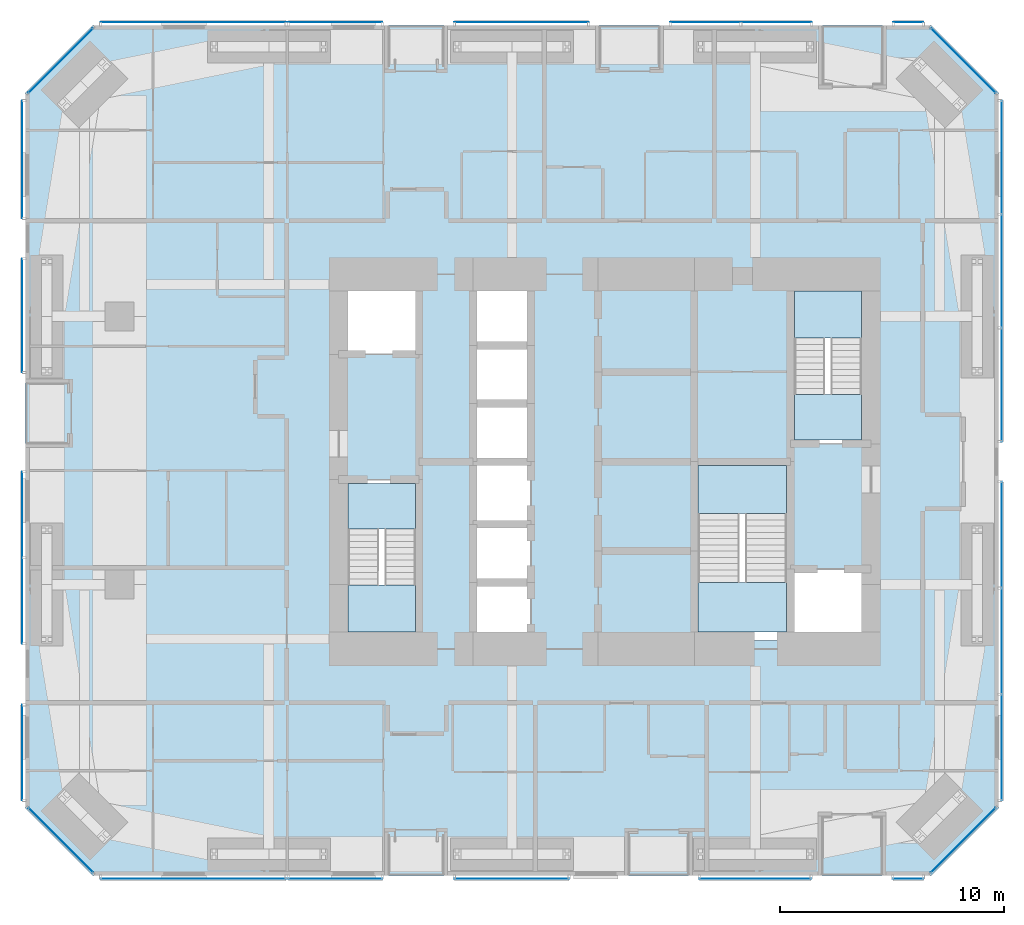
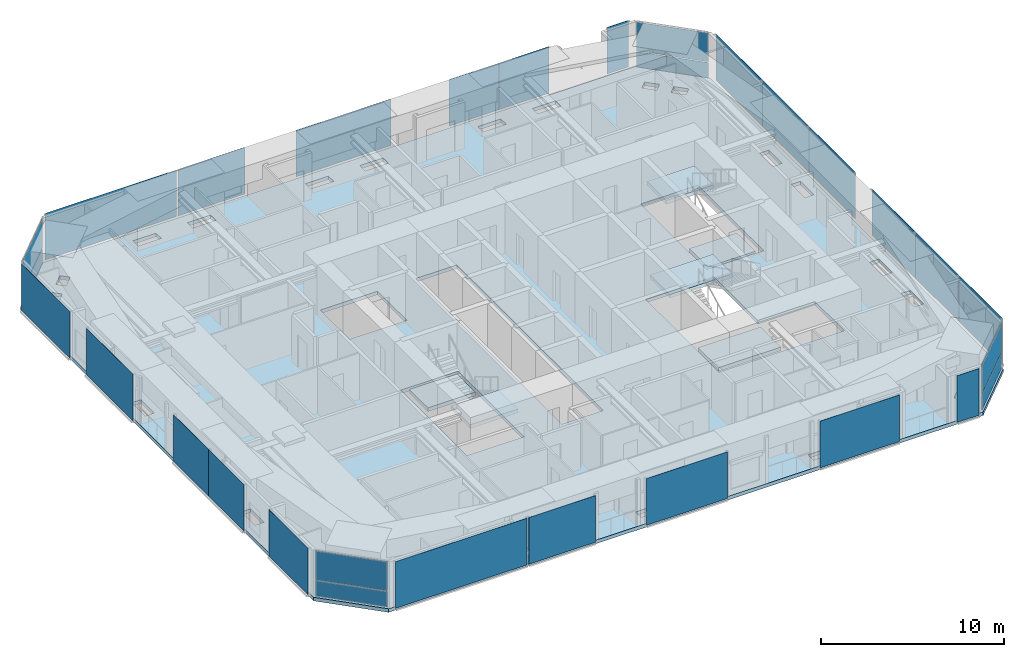
# One storey, part 16 of 25: 30 plates, 7 slabs, 23 elements without a shape of their own.
"""IFC4 building model written with IfcOpenShell, lengths in metres."""

from ifc_helpers import new_model, si_unit, direction, frame, origin, origin_2d, place, context, subcontext, project, spatial, polyline, rectangle, outline, extrude, material, layer, layer_set, type_object, element, aggregate, save


model = new_model("IFC4")

# Units and contexts
model_context = context("Model", 3, precision=1e-05, world=origin(), true_north=direction((0.0, 1.0)))
body_context = subcontext(model_context, "Body", "Model", "MODEL_VIEW")
ifc_project = project(units=[si_unit("LENGTHUNIT", "METRE"), si_unit("AREAUNIT", "SQUARE_METRE"), si_unit("VOLUMEUNIT", "CUBIC_METRE"), si_unit("PLANEANGLEUNIT", "RADIAN"), si_unit("MASSUNIT", "GRAM", prefix="KILO")], contexts=[model_context])

# Site, building, storey
site_placement = place(None, origin())
site = spatial("IfcSite", under=ifc_project, at=site_placement, CompositionType="ELEMENT")
building_placement = place(site_placement, origin())
building = spatial("IfcBuilding", under=site, at=building_placement, Name="Jalousie Tower", CompositionType="ELEMENT")
storey_placement = place(building_placement, frame((0.0, 0.0, 98.14990234375)))
storey = spatial("IfcBuildingStorey", under=building, at=storey_placement, Name="L26", CompositionType="ELEMENT", Elevation=98.14990234375)

# Curtain wall, plates
ifc_material_1 = material(Name="Aluminium curtain wall", Category="aluminium")
curtain_wall_type_1 = type_object("IfcCurtainWallType", Name="CORNER WINDOW WALL", PredefinedType="USERDEFINED", material=ifc_material_1)
curtain_wall_1_placement = place(storey_placement, origin())
curtain_wall_1 = element("IfcCurtainWall", 1, at=curtain_wall_1_placement, inside=storey, type_object=curtain_wall_type_1, Name="Corner Window Wall L26 2", ObjectType="CORNER WINDOW WALL", PredefinedType="USERDEFINED")
ifc_material_2 = material(Name="Laminated impact-rated spandrel glass", Category="glass")
ifc_layer_1 = layer(ifc_material_2, 0.028076171875)
ifc_layer_set_1 = layer_set([ifc_layer_1], Name="Laminated impact-rated spandrel glass")
plate_type_1 = type_object("IfcPlateType", Name="CORNER WINDOW WALL PANEL", PredefinedType="CURTAIN_PANEL", material=ifc_layer_set_1)
plate_1_placement = place(storey_placement, frame((47.9306640625, 1.5693359375, 0.06005859375), z_axis=(0.0, 0.0, 1.0), x_axis=(0.707106781187, 0.707106781187, 0.0)))
plate_1 = element("IfcPlate", 2, at=plate_1_placement, type_object=plate_type_1, Name="CW-C panel 1.1", PredefinedType="CURTAIN_PANEL", context=body_context, shape_type="SweptSolid", body=[
    extrude(rectangle(XDim=4.071533203125, YDim=0.028076171875, at=origin_2d()), origin(), (0.0, 0.0, 1.0), 1.010009765625),
])
plate_2_placement = place(storey_placement, frame((47.9306640625, 1.5693359375, 1.130126953125), z_axis=(0.0, 0.0, 1.0), x_axis=(0.707106781187, 0.707106781187, 0.0)))
plate_2 = element("IfcPlate", 3, at=plate_2_placement, type_object=plate_type_1, Name="CW-C panel 1.2", PredefinedType="CURTAIN_PANEL", context=body_context, shape_type="SweptSolid", body=[
    extrude(rectangle(XDim=4.071533203125, YDim=0.028076171875, at=origin_2d()), origin(), (0.0, 0.0, 1.0), 1.919921875),
])
aggregate(curtain_wall_1, [plate_1, plate_2])

curtain_wall_2_placement = place(storey_placement, origin())
curtain_wall_2 = element("IfcCurtainWall", 4, at=curtain_wall_2_placement, inside=storey, type_object=curtain_wall_type_1, Name="Corner Window Wall L26 4", ObjectType="CORNER WINDOW WALL", PredefinedType="USERDEFINED")
plate_3_placement = place(storey_placement, frame((47.9306640625, 36.4306640625, 0.06005859375), z_axis=(0.0, 0.0, 1.0), x_axis=(-0.707106781187, 0.707106781187, 0.0)))
plate_3 = element("IfcPlate", 5, at=plate_3_placement, type_object=plate_type_1, Name="CW-C panel 1.1", PredefinedType="CURTAIN_PANEL", context=body_context, shape_type="SweptSolid", body=[
    extrude(rectangle(XDim=4.071533203125, YDim=0.028076171875, at=origin_2d()), origin(), (0.0, 0.0, 1.0), 1.010009765625),
])
plate_4_placement = place(storey_placement, frame((47.9306640625, 36.4306640625, 1.130126953125), z_axis=(0.0, 0.0, 1.0), x_axis=(-0.707106781187, 0.707106781187, 0.0)))
plate_4 = element("IfcPlate", 6, at=plate_4_placement, type_object=plate_type_1, Name="CW-C panel 1.2", PredefinedType="CURTAIN_PANEL", context=body_context, shape_type="SweptSolid", body=[
    extrude(rectangle(XDim=4.071533203125, YDim=0.028076171875, at=origin_2d()), origin(), (0.0, 0.0, 1.0), 1.919921875),
])
aggregate(curtain_wall_2, [plate_3, plate_4])

curtain_wall_3_placement = place(storey_placement, origin())
curtain_wall_3 = element("IfcCurtainWall", 7, at=curtain_wall_3_placement, inside=storey, type_object=curtain_wall_type_1, Name="Corner Window Wall L26 6", ObjectType="CORNER WINDOW WALL", PredefinedType="USERDEFINED")
plate_5_placement = place(storey_placement, frame((7.5693359375, 36.4306640625, 0.06005859375), z_axis=(0.0, 0.0, 1.0), x_axis=(-0.707106781187, -0.707106781187, 0.0)))
plate_5 = element("IfcPlate", 8, at=plate_5_placement, type_object=plate_type_1, Name="CW-C panel 1.1", PredefinedType="CURTAIN_PANEL", context=body_context, shape_type="SweptSolid", body=[
    extrude(rectangle(XDim=4.071533203125, YDim=0.028076171875, at=origin_2d()), origin(), (0.0, 0.0, 1.0), 1.010009765625),
])
plate_6_placement = place(storey_placement, frame((7.5693359375, 36.4306640625, 1.130126953125), z_axis=(0.0, 0.0, 1.0), x_axis=(-0.707106781187, -0.707106781187, 0.0)))
plate_6 = element("IfcPlate", 9, at=plate_6_placement, type_object=plate_type_1, Name="CW-C panel 1.2", PredefinedType="CURTAIN_PANEL", context=body_context, shape_type="SweptSolid", body=[
    extrude(rectangle(XDim=4.071533203125, YDim=0.028076171875, at=origin_2d()), origin(), (0.0, 0.0, 1.0), 1.919921875),
])
aggregate(curtain_wall_3, [plate_5, plate_6])

curtain_wall_4_placement = place(storey_placement, origin())
curtain_wall_4 = element("IfcCurtainWall", 10, at=curtain_wall_4_placement, inside=storey, type_object=curtain_wall_type_1, Name="Corner Window Wall L26 8", ObjectType="CORNER WINDOW WALL", PredefinedType="USERDEFINED")
plate_7_placement = place(storey_placement, frame((7.5693359375, 1.5693359375, 0.06005859375), z_axis=(0.0, 0.0, 1.0), x_axis=(0.707106781187, -0.707106781187, 0.0)))
plate_7 = element("IfcPlate", 11, at=plate_7_placement, type_object=plate_type_1, Name="CW-C panel 1.1", PredefinedType="CURTAIN_PANEL", context=body_context, shape_type="SweptSolid", body=[
    extrude(rectangle(XDim=4.071533203125, YDim=0.028076171875, at=origin_2d()), origin(), (0.0, 0.0, 1.0), 1.010009765625),
])
plate_8_placement = place(storey_placement, frame((7.5693359375, 1.5693359375, 1.130126953125), z_axis=(0.0, 0.0, 1.0), x_axis=(0.707106781187, -0.707106781187, 0.0)))
plate_8 = element("IfcPlate", 12, at=plate_8_placement, type_object=plate_type_1, Name="CW-C panel 1.2", PredefinedType="CURTAIN_PANEL", context=body_context, shape_type="SweptSolid", body=[
    extrude(rectangle(XDim=4.071533203125, YDim=0.028076171875, at=origin_2d()), origin(), (0.0, 0.0, 1.0), 1.919921875),
])
aggregate(curtain_wall_4, [plate_7, plate_8])

# Slab
ifc_material_3 = material(Name="Concrete f'c 40 MPa", Category="concrete")
ifc_layer_2 = layer(ifc_material_3, 0.239990234375)
ifc_layer_set_2 = layer_set([ifc_layer_2], Name="Concrete f'c 40 MPa")
slab_type_1 = type_object("IfcSlabType", Name="FLOOR SLAB 240", PredefinedType="FLOOR", material=ifc_layer_set_2)
slab_1_placement = place(storey_placement, frame((0.0, 0.0, -0.239990234375)))
element("IfcSlab", 13, at=slab_1_placement, inside=storey, type_object=slab_type_1, Name="L26 floor slab", PredefinedType="FLOOR", context=body_context, shape_type="SweptSolid", body=[
    extrude(outline(polyline([(9.0, 0.0), (46.5, 0.0), (49.5, 3.0), (49.5, 35.0), (46.5, 38.0), (9.0, 38.0), (6.0, 35.0), (6.0, 3.0), (9.0, 0.0)]), holes=[polyline([(14.425048828125, 1.236083984375), (14.484619140625, 1.236083984375), (15.888916015625, 1.236083984375), (15.888916015625, 0.663818359375), (14.484619140625, 0.663818359375), (14.425048828125, 0.663818359375), (14.425048828125, 1.236083984375)]), polyline([(26.763916015625, 1.236083984375), (26.763916015625, 0.663818359375), (25.359619140625, 0.663818359375), (25.300048828125, 0.663818359375), (25.300048828125, 1.236083984375), (25.359619140625, 1.236083984375), (26.763916015625, 1.236083984375)]), polyline([(17.861083984375, 1.236083984375), (19.265380859375, 1.236083984375), (19.324951171875, 1.236083984375), (19.324951171875, 0.663818359375), (19.265380859375, 0.663818359375), (17.861083984375, 0.663818359375), (17.861083984375, 1.236083984375)]), polyline([(8.71435546875, 2.1435546875), (9.119140625, 2.54833984375), (9.625732421875, 2.041748046875), (9.717529296875, 1.949951171875), (9.515380859375, 1.74755859375), (9.31298828125, 1.545166015625), (9.220947265625, 1.636962890625), (8.71435546875, 2.1435546875)]), polyline([(8.54833984375, 3.119140625), (8.1435546875, 2.71435546875), (7.545166015625, 3.31298828125), (7.74755859375, 3.515380859375), (7.949951171875, 3.717529296875), (8.54833984375, 3.119140625)]), polyline([(7.236083984375, 10.550048828125), (6.663818359375, 10.550048828125), (6.663818359375, 10.609619140625), (6.663818359375, 12.013916015625), (7.236083984375, 12.013916015625), (7.236083984375, 10.609619140625), (7.236083984375, 10.550048828125)]), polyline([(26.0, 10.5), (26.0, 26.5), (28.60009765625, 26.5), (28.60009765625, 10.5), (26.0, 10.5)]), polyline([(20.0, 10.5), (23.60009765625, 10.5), (23.60009765625, 17.699951171875), (20.0, 17.699951171875), (20.0, 10.5)]), polyline([(7.236083984375, 15.390380859375), (7.236083984375, 13.986083984375), (6.663818359375, 13.986083984375), (6.663818359375, 15.390380859375), (6.663818359375, 15.449951171875), (7.236083984375, 15.449951171875), (7.236083984375, 15.390380859375)]), polyline([(6.663818359375, 24.013916015625), (7.236083984375, 24.013916015625), (7.236083984375, 22.609619140625), (7.236083984375, 22.550048828125), (6.663818359375, 22.550048828125), (6.663818359375, 22.609619140625), (6.663818359375, 24.013916015625)]), polyline([(20.0, 23.300048828125), (23.60009765625, 23.300048828125), (23.60009765625, 26.5), (20.0, 26.5), (20.0, 23.300048828125)]), polyline([(7.236083984375, 25.986083984375), (6.663818359375, 25.986083984375), (6.663818359375, 27.390380859375), (6.663818359375, 27.449951171875), (7.236083984375, 27.449951171875), (7.236083984375, 27.390380859375), (7.236083984375, 25.986083984375)]), polyline([(7.636962890625, 34.779052734375), (8.1435546875, 35.28564453125), (8.54833984375, 34.880859375), (8.041748046875, 34.374267578125), (7.949951171875, 34.282470703125), (7.545166015625, 34.68701171875), (7.636962890625, 34.779052734375)]), polyline([(9.717529296875, 36.050048828125), (9.625732421875, 35.958251953125), (9.119140625, 35.45166015625), (8.71435546875, 35.8564453125), (9.220947265625, 36.363037109375), (9.31298828125, 36.454833984375), (9.515380859375, 36.25244140625), (9.717529296875, 36.050048828125)]), polyline([(26.763916015625, 36.763916015625), (25.359619140625, 36.763916015625), (25.300048828125, 36.763916015625), (25.300048828125, 37.336181640625), (25.359619140625, 37.336181640625), (26.763916015625, 37.336181640625), (26.763916015625, 36.763916015625)]), polyline([(19.324951171875, 37.336181640625), (19.324951171875, 36.763916015625), (19.265380859375, 36.763916015625), (17.861083984375, 36.763916015625), (17.861083984375, 37.336181640625), (19.265380859375, 37.336181640625), (19.324951171875, 37.336181640625)]), polyline([(14.425048828125, 36.763916015625), (14.425048828125, 37.336181640625), (14.484619140625, 37.336181640625), (15.888916015625, 37.336181640625), (15.888916015625, 36.763916015625), (14.484619140625, 36.763916015625), (14.425048828125, 36.763916015625)]), polyline([(28.736083984375, 0.663818359375), (28.736083984375, 1.236083984375), (30.140380859375, 1.236083984375), (30.199951171875, 1.236083984375), (30.199951171875, 0.663818359375), (30.140380859375, 0.663818359375), (28.736083984375, 0.663818359375)]), polyline([(36.234619140625, 0.663818359375), (36.175048828125, 0.663818359375), (36.175048828125, 1.236083984375), (36.234619140625, 1.236083984375), (37.638916015625, 1.236083984375), (37.638916015625, 0.663818359375), (36.234619140625, 0.663818359375)]), polyline([(41.015380859375, 1.236083984375), (41.074951171875, 1.236083984375), (41.074951171875, 0.663818359375), (41.015380859375, 0.663818359375), (39.611083984375, 0.663818359375), (39.611083984375, 1.236083984375), (41.015380859375, 1.236083984375)]), polyline([(46.279052734375, 1.636962890625), (46.18701171875, 1.545166015625), (45.984619140625, 1.74755859375), (45.782470703125, 1.949951171875), (45.782470703125, 1.949951171875), (45.782470703125, 1.949951171875), (45.874267578125, 2.041748046875), (46.380859375, 2.54833984375), (46.78564453125, 2.1435546875), (46.279052734375, 1.636962890625), (46.279052734375, 1.636962890625)]), polyline([(47.458251953125, 3.625732421875), (47.458251953125, 3.625732421875), (47.550048828125, 3.717529296875), (47.75244140625, 3.515380859375), (47.954833984375, 3.31298828125), (47.954833984375, 3.31298828125), (47.954833984375, 3.31298828125), (47.863037109375, 3.220947265625), (47.3564453125, 2.71435546875), (46.95166015625, 3.119140625), (47.458251953125, 3.625732421875)]), polyline([(48.836181640625, 10.550048828125), (48.263916015625, 10.550048828125), (48.263916015625, 10.609619140625), (48.263916015625, 12.013916015625), (48.836181640625, 12.013916015625), (48.836181640625, 10.609619140625), (48.836181640625, 10.550048828125)]), polyline([(35.89990234375, 18.5), (40.199951171875, 18.5), (40.199951171875, 13.699951171875), (43.800048828125, 13.699951171875), (43.800048828125, 10.5), (35.89990234375, 10.5), (35.89990234375, 18.5)]), polyline([(48.836181640625, 13.986083984375), (48.263916015625, 13.986083984375), (48.263916015625, 15.390380859375), (48.263916015625, 15.449951171875), (48.836181640625, 15.449951171875), (48.836181640625, 15.390380859375), (48.836181640625, 13.986083984375)]), polyline([(40.199951171875, 19.300048828125), (43.800048828125, 19.300048828125), (43.800048828125, 26.5), (40.199951171875, 26.5), (40.199951171875, 19.300048828125)]), polyline([(48.836181640625, 22.550048828125), (48.263916015625, 22.550048828125), (48.263916015625, 22.609619140625), (48.263916015625, 24.013916015625), (48.836181640625, 24.013916015625), (48.836181640625, 22.609619140625), (48.836181640625, 22.550048828125)]), polyline([(48.836181640625, 27.390380859375), (48.836181640625, 25.986083984375), (48.263916015625, 25.986083984375), (48.263916015625, 27.390380859375), (48.263916015625, 27.449951171875), (48.836181640625, 27.449951171875), (48.836181640625, 27.390380859375)]), polyline([(47.3564453125, 35.28564453125), (47.954833984375, 34.68701171875), (47.550048828125, 34.282470703125), (47.458251953125, 34.374267578125), (46.95166015625, 34.880859375), (47.3564453125, 35.28564453125)]), polyline([(46.380859375, 35.45166015625), (45.874267578125, 35.958251953125), (45.782470703125, 36.050048828125), (46.18701171875, 36.454833984375), (46.78564453125, 35.8564453125), (46.380859375, 35.45166015625)]), polyline([(41.015380859375, 37.336181640625), (41.074951171875, 37.336181640625), (41.074951171875, 36.763916015625), (41.015380859375, 36.763916015625), (39.611083984375, 36.763916015625), (39.611083984375, 37.336181640625), (41.015380859375, 37.336181640625)]), polyline([(37.638916015625, 37.336181640625), (37.638916015625, 36.763916015625), (36.234619140625, 36.763916015625), (36.175048828125, 36.763916015625), (36.175048828125, 37.336181640625), (36.234619140625, 37.336181640625), (37.638916015625, 37.336181640625)]), polyline([(28.736083984375, 37.336181640625), (30.140380859375, 37.336181640625), (30.199951171875, 37.336181640625), (30.199951171875, 36.763916015625), (30.140380859375, 36.763916015625), (28.736083984375, 36.763916015625), (28.736083984375, 37.336181640625)])]), origin(), (0.0, 0.0, 1.0), 0.239990234375),
])

# Curtain wall, plate
ifc_material_4 = material(Name="Perforated aluminium sheet", Category="aluminium")
curtain_wall_type_2 = type_object("IfcCurtainWallType", Name="SOLAR SCREEN SS-1", PredefinedType="USERDEFINED", material=ifc_material_4)
curtain_wall_5_placement = place(storey_placement, origin())
curtain_wall_5 = element("IfcCurtainWall", 14, at=curtain_wall_5_placement, inside=storey, type_object=curtain_wall_type_2, Name="Solar screen L26", ObjectType="SOLAR SCREEN SS-1", PredefinedType="USERDEFINED")
ifc_material_5 = material(Name="Perforated aluminium sheet", Category="aluminium")
ifc_layer_3 = layer(ifc_material_5, 0.006103515625)
ifc_layer_set_3 = layer_set([ifc_layer_3], Name="Perforated aluminium sheet")
plate_type_2 = type_object("IfcPlateType", Name="SOLAR SCREEN SS-1 PANEL", PredefinedType="CURTAIN_PANEL", material=ifc_layer_set_3)
plate_9_placement = place(storey_placement, frame((13.500732421875, -0.150390625, 0.0), z_axis=(0.0, 0.0, 1.0), x_axis=(1.0, 0.0, 0.0)))
plate_9 = element("IfcPlate", 15, at=plate_9_placement, type_object=plate_type_2, Name="SS1 perforated panel 1", PredefinedType="CURTAIN_PANEL", context=body_context, shape_type="SweptSolid", body=[
    extrude(rectangle(XDim=8.298583984375, YDim=0.006103515625, at=origin_2d()), origin(), (0.0, 0.0, 1.0), 3.110107421875),
])
aggregate(curtain_wall_5, [plate_9])

curtain_wall_6_placement = place(storey_placement, origin())
curtain_wall_6 = element("IfcCurtainWall", 16, at=curtain_wall_6_placement, inside=storey, type_object=curtain_wall_type_2, Name="Solar screen L26", ObjectType="SOLAR SCREEN SS-1", PredefinedType="USERDEFINED")
plate_10_placement = place(storey_placement, frame((19.85009765625, -0.150390625, 0.0), z_axis=(0.0, 0.0, 1.0), x_axis=(1.0, 0.0, 0.0)))
plate_10 = element("IfcPlate", 17, at=plate_10_placement, type_object=plate_type_2, Name="SS1 perforated panel 1", PredefinedType="CURTAIN_PANEL", context=body_context, shape_type="SweptSolid", body=[
    extrude(rectangle(XDim=4.199951171875, YDim=0.006103515625, at=origin_2d()), origin(), (0.0, 0.0, 1.0), 3.110107421875),
])
aggregate(curtain_wall_6, [plate_10])

curtain_wall_7_placement = place(storey_placement, origin())
curtain_wall_7 = element("IfcCurtainWall", 18, at=curtain_wall_7_placement, inside=storey, type_object=curtain_wall_type_2, Name="Solar screen L26", ObjectType="SOLAR SCREEN SS-1", PredefinedType="USERDEFINED")
plate_11_placement = place(storey_placement, frame((27.737548828125, -0.150390625, 0.0), z_axis=(0.0, 0.0, 1.0), x_axis=(1.0, 0.0, 0.0)))
plate_11 = element("IfcPlate", 19, at=plate_11_placement, type_object=plate_type_2, Name="SS1 perforated panel 1", PredefinedType="CURTAIN_PANEL", context=body_context, shape_type="SweptSolid", body=[
    extrude(rectangle(XDim=5.125, YDim=0.006103515625, at=origin_2d()), origin(), (0.0, 0.0, 1.0), 3.110107421875),
])
aggregate(curtain_wall_7, [plate_11])

curtain_wall_8_placement = place(storey_placement, origin())
curtain_wall_8 = element("IfcCurtainWall", 20, at=curtain_wall_8_placement, inside=storey, type_object=curtain_wall_type_2, Name="Solar screen L26", ObjectType="SOLAR SCREEN SS-1", PredefinedType="USERDEFINED")
plate_12_placement = place(storey_placement, frame((38.625, -0.150390625, 0.0), z_axis=(0.0, 0.0, 1.0), x_axis=(1.0, 0.0, 0.0)))
plate_12 = element("IfcPlate", 21, at=plate_12_placement, type_object=plate_type_2, Name="SS1 perforated panel 1", PredefinedType="CURTAIN_PANEL", context=body_context, shape_type="SweptSolid", body=[
    extrude(rectangle(XDim=5.0, YDim=0.006103515625, at=origin_2d()), origin(), (0.0, 0.0, 1.0), 3.110107421875),
])
aggregate(curtain_wall_8, [plate_12])

curtain_wall_9_placement = place(storey_placement, origin())
curtain_wall_9 = element("IfcCurtainWall", 22, at=curtain_wall_9_placement, inside=storey, type_object=curtain_wall_type_2, Name="Solar screen L26", ObjectType="SOLAR SCREEN SS-1", PredefinedType="USERDEFINED")
plate_13_placement = place(storey_placement, frame((45.4619140625, -0.150390625, 0.0), z_axis=(0.0, 0.0, 1.0), x_axis=(1.0, 0.0, 0.0)))
plate_13 = element("IfcPlate", 23, at=plate_13_placement, type_object=plate_type_2, Name="SS1 perforated panel 1", PredefinedType="CURTAIN_PANEL", context=body_context, shape_type="SweptSolid", body=[
    extrude(rectangle(XDim=1.373779296875, YDim=0.006103515625, at=origin_2d()), origin(), (0.0, 0.0, 1.0), 3.110107421875),
])
aggregate(curtain_wall_9, [plate_13])

# Curtain wall, plates
curtain_wall_10_placement = place(storey_placement, origin())
curtain_wall_10 = element("IfcCurtainWall", 24, at=curtain_wall_10_placement, inside=storey, type_object=curtain_wall_type_2, Name="Solar screen L26", ObjectType="SOLAR SCREEN SS-1", PredefinedType="USERDEFINED")
plate_14_placement = place(storey_placement, frame((49.650390625, 5.72607421875, 0.0), z_axis=(0.0, 0.0, 1.0), x_axis=(0.0, 1.0, 0.0)))
plate_14 = element("IfcPlate", 25, at=plate_14_placement, type_object=plate_type_2, Name="SS1 perforated panel 1", PredefinedType="CURTAIN_PANEL", context=body_context, shape_type="SweptSolid", body=[
    extrude(rectangle(XDim=4.74951171875, YDim=0.006103515625, at=origin_2d()), origin(), (0.0, 0.0, 1.0), 3.110107421875),
])
plate_15_placement = place(storey_placement, frame((49.650390625, 10.4755859375, 0.0), z_axis=(0.0, 0.0, 1.0), x_axis=(0.0, 1.0, 0.0)))
plate_15 = element("IfcPlate", 26, at=plate_15_placement, type_object=plate_type_2, Name="SS1 perforated panel 2", PredefinedType="CURTAIN_PANEL", context=body_context, shape_type="SweptSolid", body=[
    extrude(rectangle(XDim=4.74951171875, YDim=0.006103515625, at=origin_2d()), origin(), (0.0, 0.0, 1.0), 3.110107421875),
])
plate_16_placement = place(storey_placement, frame((49.650390625, 15.22509765625, 0.0), z_axis=(0.0, 0.0, 1.0), x_axis=(0.0, 1.0, 0.0)))
plate_16 = element("IfcPlate", 27, at=plate_16_placement, type_object=plate_type_2, Name="SS1 perforated panel 3", PredefinedType="CURTAIN_PANEL", context=body_context, shape_type="SweptSolid", body=[
    extrude(rectangle(XDim=4.74951171875, YDim=0.006103515625, at=origin_2d()), origin(), (0.0, 0.0, 1.0), 3.110107421875),
])
aggregate(curtain_wall_10, [plate_14, plate_15, plate_16])

curtain_wall_11_placement = place(storey_placement, origin())
curtain_wall_11 = element("IfcCurtainWall", 28, at=curtain_wall_11_placement, inside=storey, type_object=curtain_wall_type_2, Name="Solar screen L26", ObjectType="SOLAR SCREEN SS-1", PredefinedType="USERDEFINED")
plate_17_placement = place(storey_placement, frame((49.650390625, 21.94140625, 0.0), z_axis=(0.0, 0.0, 1.0), x_axis=(0.0, 1.0, 0.0)))
plate_17 = element("IfcPlate", 29, at=plate_17_placement, type_object=plate_type_2, Name="SS1 perforated panel 1", PredefinedType="CURTAIN_PANEL", context=body_context, shape_type="SweptSolid", body=[
    extrude(rectangle(XDim=5.0830078125, YDim=0.006103515625, at=origin_2d()), origin(), (0.0, 0.0, 1.0), 3.110107421875),
])
plate_18_placement = place(storey_placement, frame((49.650390625, 27.0244140625, 0.0), z_axis=(0.0, 0.0, 1.0), x_axis=(0.0, 1.0, 0.0)))
plate_18 = element("IfcPlate", 30, at=plate_18_placement, type_object=plate_type_2, Name="SS1 perforated panel 2", PredefinedType="CURTAIN_PANEL", context=body_context, shape_type="SweptSolid", body=[
    extrude(rectangle(XDim=5.0830078125, YDim=0.006103515625, at=origin_2d()), origin(), (0.0, 0.0, 1.0), 3.110107421875),
])
plate_19_placement = place(storey_placement, frame((49.650390625, 32.107177734375, 0.0), z_axis=(0.0, 0.0, 1.0), x_axis=(0.0, 1.0, 0.0)))
plate_19 = element("IfcPlate", 31, at=plate_19_placement, type_object=plate_type_2, Name="SS1 perforated panel 3", PredefinedType="CURTAIN_PANEL", context=body_context, shape_type="SweptSolid", body=[
    extrude(rectangle(XDim=5.0830078125, YDim=0.006103515625, at=origin_2d()), origin(), (0.0, 0.0, 1.0), 3.110107421875),
])
aggregate(curtain_wall_11, [plate_17, plate_18, plate_19])

# Curtain wall, plate
curtain_wall_12_placement = place(storey_placement, origin())
curtain_wall_12 = element("IfcCurtainWall", 32, at=curtain_wall_12_placement, inside=storey, type_object=curtain_wall_type_2, Name="Solar screen L26", ObjectType="SOLAR SCREEN SS-1", PredefinedType="USERDEFINED")
plate_20_placement = place(storey_placement, frame((45.4736328125, 38.150390625, 0.0), z_axis=(0.0, 0.0, 1.0), x_axis=(-1.0, 0.0, 0.0)))
plate_20 = element("IfcPlate", 33, at=plate_20_placement, type_object=plate_type_2, Name="SS1 perforated panel 1", PredefinedType="CURTAIN_PANEL", context=body_context, shape_type="SweptSolid", body=[
    extrude(rectangle(XDim=1.35009765625, YDim=0.006103515625, at=origin_2d()), origin(), (0.0, 0.0, 1.0), 3.110107421875),
])
aggregate(curtain_wall_12, [plate_20])

# Curtain wall, plates
curtain_wall_13_placement = place(storey_placement, origin())
curtain_wall_13 = element("IfcCurtainWall", 34, at=curtain_wall_13_placement, inside=storey, type_object=curtain_wall_type_2, Name="Solar screen L26", ObjectType="SOLAR SCREEN SS-1", PredefinedType="USERDEFINED")
plate_21_placement = place(storey_placement, frame((39.56787109375, 38.150390625, 0.0), z_axis=(0.0, 0.0, 1.0), x_axis=(-1.0, 0.0, 0.0)))
plate_21 = element("IfcPlate", 35, at=plate_21_placement, type_object=plate_type_2, Name="SS1 perforated panel 1", PredefinedType="CURTAIN_PANEL", context=body_context, shape_type="SweptSolid", body=[
    extrude(rectangle(XDim=3.161865234375, YDim=0.006103515625, at=origin_2d()), origin(), (0.0, 0.0, 1.0), 3.110107421875),
])
plate_22_placement = place(storey_placement, frame((36.406005859375, 38.150390625, 0.0), z_axis=(0.0, 0.0, 1.0), x_axis=(-1.0, 0.0, 0.0)))
plate_22 = element("IfcPlate", 36, at=plate_22_placement, type_object=plate_type_2, Name="SS1 perforated panel 2", PredefinedType="CURTAIN_PANEL", context=body_context, shape_type="SweptSolid", body=[
    extrude(rectangle(XDim=3.161865234375, YDim=0.006103515625, at=origin_2d()), origin(), (0.0, 0.0, 1.0), 3.110107421875),
])
aggregate(curtain_wall_13, [plate_21, plate_22])

# Curtain wall, plate
curtain_wall_14_placement = place(storey_placement, origin())
curtain_wall_14 = element("IfcCurtainWall", 37, at=curtain_wall_14_placement, inside=storey, type_object=curtain_wall_type_2, Name="Solar screen L26", ObjectType="SOLAR SCREEN SS-1", PredefinedType="USERDEFINED")
plate_23_placement = place(storey_placement, frame((28.175048828125, 38.150390625, 0.0), z_axis=(0.0, 0.0, 1.0), x_axis=(-1.0, 0.0, 0.0)))
plate_23 = element("IfcPlate", 38, at=plate_23_placement, type_object=plate_type_2, Name="SS1 perforated panel 1", PredefinedType="CURTAIN_PANEL", context=body_context, shape_type="SweptSolid", body=[
    extrude(rectangle(XDim=6.0, YDim=0.006103515625, at=origin_2d()), origin(), (0.0, 0.0, 1.0), 3.110107421875),
])
aggregate(curtain_wall_14, [plate_23])

curtain_wall_15_placement = place(storey_placement, origin())
curtain_wall_15 = element("IfcCurtainWall", 39, at=curtain_wall_15_placement, inside=storey, type_object=curtain_wall_type_2, Name="Solar screen L26", ObjectType="SOLAR SCREEN SS-1", PredefinedType="USERDEFINED")
plate_24_placement = place(storey_placement, frame((19.85009765625, 38.150390625, 0.0), z_axis=(0.0, 0.0, 1.0), x_axis=(-1.0, 0.0, 0.0)))
plate_24 = element("IfcPlate", 40, at=plate_24_placement, type_object=plate_type_2, Name="SS1 perforated panel 1", PredefinedType="CURTAIN_PANEL", context=body_context, shape_type="SweptSolid", body=[
    extrude(rectangle(XDim=4.199951171875, YDim=0.006103515625, at=origin_2d()), origin(), (0.0, 0.0, 1.0), 3.110107421875),
])
aggregate(curtain_wall_15, [plate_24])

curtain_wall_16_placement = place(storey_placement, origin())
curtain_wall_16 = element("IfcCurtainWall", 41, at=curtain_wall_16_placement, inside=storey, type_object=curtain_wall_type_2, Name="Solar screen L26", ObjectType="SOLAR SCREEN SS-1", PredefinedType="USERDEFINED")
plate_25_placement = place(storey_placement, frame((13.500732421875, 38.150390625, 0.0), z_axis=(0.0, 0.0, 1.0), x_axis=(-1.0, 0.0, 0.0)))
plate_25 = element("IfcPlate", 42, at=plate_25_placement, type_object=plate_type_2, Name="SS1 perforated panel 1", PredefinedType="CURTAIN_PANEL", context=body_context, shape_type="SweptSolid", body=[
    extrude(rectangle(XDim=8.298583984375, YDim=0.006103515625, at=origin_2d()), origin(), (0.0, 0.0, 1.0), 3.110107421875),
])
aggregate(curtain_wall_16, [plate_25])

curtain_wall_17_placement = place(storey_placement, origin())
curtain_wall_17 = element("IfcCurtainWall", 43, at=curtain_wall_17_placement, inside=storey, type_object=curtain_wall_type_2, Name="Solar screen L26", ObjectType="SOLAR SCREEN SS-1", PredefinedType="USERDEFINED")
plate_26_placement = place(storey_placement, frame((5.849609375, 32.01171875, 0.0), z_axis=(0.0, 0.0, 1.0), x_axis=(0.0, -1.0, 0.0)))
plate_26 = element("IfcPlate", 44, at=plate_26_placement, type_object=plate_type_2, Name="SS1 perforated panel 1", PredefinedType="CURTAIN_PANEL", context=body_context, shape_type="SweptSolid", body=[
    extrude(rectangle(XDim=5.273681640625, YDim=0.006103515625, at=origin_2d()), origin(), (0.0, 0.0, 1.0), 3.110107421875),
])
aggregate(curtain_wall_17, [plate_26])

curtain_wall_18_placement = place(storey_placement, origin())
curtain_wall_18 = element("IfcCurtainWall", 45, at=curtain_wall_18_placement, inside=storey, type_object=curtain_wall_type_2, Name="Solar screen L26", ObjectType="SOLAR SCREEN SS-1", PredefinedType="USERDEFINED")
plate_27_placement = place(storey_placement, frame((5.849609375, 25.03125, 0.0), z_axis=(0.0, 0.0, 1.0), x_axis=(0.0, -1.0, 0.0)))
plate_27 = element("IfcPlate", 46, at=plate_27_placement, type_object=plate_type_2, Name="SS1 perforated panel 1", PredefinedType="CURTAIN_PANEL", context=body_context, shape_type="SweptSolid", body=[
    extrude(rectangle(XDim=5.08740234375, YDim=0.006103515625, at=origin_2d()), origin(), (0.0, 0.0, 1.0), 3.110107421875),
])
aggregate(curtain_wall_18, [plate_27])

# Curtain wall, plates
curtain_wall_19_placement = place(storey_placement, origin())
curtain_wall_19 = element("IfcCurtainWall", 47, at=curtain_wall_19_placement, inside=storey, type_object=curtain_wall_type_2, Name="Solar screen L26", ObjectType="SOLAR SCREEN SS-1", PredefinedType="USERDEFINED")
plate_28_placement = place(storey_placement, frame((5.849609375, 16.1279296875, 0.0), z_axis=(0.0, 0.0, 1.0), x_axis=(0.0, -1.0, 0.0)))
plate_28 = element("IfcPlate", 48, at=plate_28_placement, type_object=plate_type_2, Name="SS1 perforated panel 1", PredefinedType="CURTAIN_PANEL", context=body_context, shape_type="SweptSolid", body=[
    extrude(rectangle(XDim=3.843994140625, YDim=0.006103515625, at=origin_2d()), origin(), (0.0, 0.0, 1.0), 3.110107421875),
])
plate_29_placement = place(storey_placement, frame((5.849609375, 12.283935546875, 0.0), z_axis=(0.0, 0.0, 1.0), x_axis=(0.0, -1.0, 0.0)))
plate_29 = element("IfcPlate", 49, at=plate_29_placement, type_object=plate_type_2, Name="SS1 perforated panel 2", PredefinedType="CURTAIN_PANEL", context=body_context, shape_type="SweptSolid", body=[
    extrude(rectangle(XDim=3.843994140625, YDim=0.006103515625, at=origin_2d()), origin(), (0.0, 0.0, 1.0), 3.110107421875),
])
aggregate(curtain_wall_19, [plate_28, plate_29])

# Curtain wall, plate
curtain_wall_20_placement = place(storey_placement, origin())
curtain_wall_20 = element("IfcCurtainWall", 50, at=curtain_wall_20_placement, inside=storey, type_object=curtain_wall_type_2, Name="Solar screen L26", ObjectType="SOLAR SCREEN SS-1", PredefinedType="USERDEFINED")
plate_30_placement = place(storey_placement, frame((5.849609375, 5.48828125, 0.0), z_axis=(0.0, 0.0, 1.0), x_axis=(0.0, -1.0, 0.0)))
plate_30 = element("IfcPlate", 51, at=plate_30_placement, type_object=plate_type_2, Name="SS1 perforated panel 1", PredefinedType="CURTAIN_PANEL", context=body_context, shape_type="SweptSolid", body=[
    extrude(rectangle(XDim=4.273681640625, YDim=0.006103515625, at=origin_2d()), origin(), (0.0, 0.0, 1.0), 3.110107421875),
])
aggregate(curtain_wall_20, [plate_30])

# Stair, slabs
ifc_material_6 = material(Name="Concrete f'c 40 MPa", Category="concrete")
stair_type = type_object("IfcStairType", Name="EXIT STAIR", PredefinedType="HALF_TURN_STAIR", material=ifc_material_6)
stair_1_placement = place(storey_placement, origin())
stair_1 = element("IfcStair", 52, at=stair_1_placement, inside=storey, type_object=stair_type, Name="Exit stair A L26", PredefinedType="HALF_TURN_STAIR")
ifc_material_7 = material(Name="Concrete f'c 40 MPa", Category="concrete")
ifc_layer_4 = layer(ifc_material_7, 0.25)
ifc_layer_set_4 = layer_set([ifc_layer_4], Name="Concrete f'c 40 MPa")
slab_type_2 = type_object("IfcSlabType", Name="STAIR LANDING 250", PredefinedType="LANDING", material=ifc_layer_set_4)
slab_2_placement = place(storey_placement, frame((0.0, 0.0, -0.25)))
slab_2 = element("IfcSlab", 53, at=slab_2_placement, type_object=slab_type_2, Name="ST-A landing 1", PredefinedType="LANDING", context=body_context, shape_type="SweptSolid", body=[
    extrude(outline(polyline([(20.425048828125, 15.49755859375), (23.425048828125, 15.49755859375), (23.425048828125, 17.52490234375), (20.425048828125, 17.52490234375), (20.425048828125, 15.49755859375)])), origin(), (0.0, 0.0, 1.0), 0.25),
])
slab_3_placement = place(storey_placement, frame((0.0, 0.0, 1.425048828125)))
slab_3 = element("IfcSlab", 54, at=slab_3_placement, type_object=slab_type_2, Name="ST-A landing 2", PredefinedType="LANDING", context=body_context, shape_type="SweptSolid", body=[
    extrude(outline(polyline([(20.425048828125, 10.875), (23.425048828125, 10.875), (23.425048828125, 12.9775390625), (20.425048828125, 12.9775390625), (20.425048828125, 10.875)])), origin(), (0.0, 0.0, 1.0), 0.25),
])
aggregate(stair_1, [slab_2, slab_3])

stair_2_placement = place(storey_placement, origin())
stair_2 = element("IfcStair", 55, at=stair_2_placement, inside=storey, type_object=stair_type, Name="Exit stair B L26", PredefinedType="HALF_TURN_STAIR")
slab_4_placement = place(storey_placement, frame((0.0, 0.0, -0.25)))
slab_4 = element("IfcSlab", 56, at=slab_4_placement, type_object=slab_type_2, Name="ST-B landing 1", PredefinedType="LANDING", context=body_context, shape_type="SweptSolid", body=[
    extrude(outline(polyline([(40.375, 19.47509765625), (43.375, 19.47509765625), (43.375, 21.50244140625), (40.375, 21.50244140625), (40.375, 19.47509765625)])), origin(), (0.0, 0.0, 1.0), 0.25),
])
slab_5_placement = place(storey_placement, frame((0.0, 0.0, 1.425048828125)))
slab_5 = element("IfcSlab", 57, at=slab_5_placement, type_object=slab_type_2, Name="ST-B landing 2", PredefinedType="LANDING", context=body_context, shape_type="SweptSolid", body=[
    extrude(outline(polyline([(40.375, 24.0224609375), (43.375, 24.0224609375), (43.375, 26.125), (40.375, 26.125), (40.375, 24.0224609375)])), origin(), (0.0, 0.0, 1.0), 0.25),
])
aggregate(stair_2, [slab_4, slab_5])

stair_3_placement = place(storey_placement, origin())
stair_3 = element("IfcStair", 58, at=stair_3_placement, inside=storey, type_object=stair_type, Name="Exit stair C L26", PredefinedType="HALF_TURN_STAIR")
slab_6_placement = place(storey_placement, frame((0.0, 0.0, -0.25)))
slab_6 = element("IfcSlab", 59, at=slab_6_placement, type_object=slab_type_2, Name="ST-C landing 1", PredefinedType="LANDING", context=body_context, shape_type="SweptSolid", body=[
    extrude(outline(polyline([(36.074951171875, 10.875), (40.02490234375, 10.875), (40.02490234375, 13.097412109375), (36.074951171875, 13.097412109375), (36.074951171875, 10.875)])), origin(), (0.0, 0.0, 1.0), 0.25),
])
slab_7_placement = place(storey_placement, frame((0.0, 0.0, 1.425048828125)))
slab_7 = element("IfcSlab", 60, at=slab_7_placement, type_object=slab_type_2, Name="ST-C landing 2", PredefinedType="LANDING", context=body_context, shape_type="SweptSolid", body=[
    extrude(outline(polyline([(36.074951171875, 16.177490234375), (40.02490234375, 16.177490234375), (40.02490234375, 18.324951171875), (36.074951171875, 18.324951171875), (36.074951171875, 16.177490234375)])), origin(), (0.0, 0.0, 1.0), 0.25),
])
aggregate(stair_3, [slab_6, slab_7])

save(model, "model.ifc")
